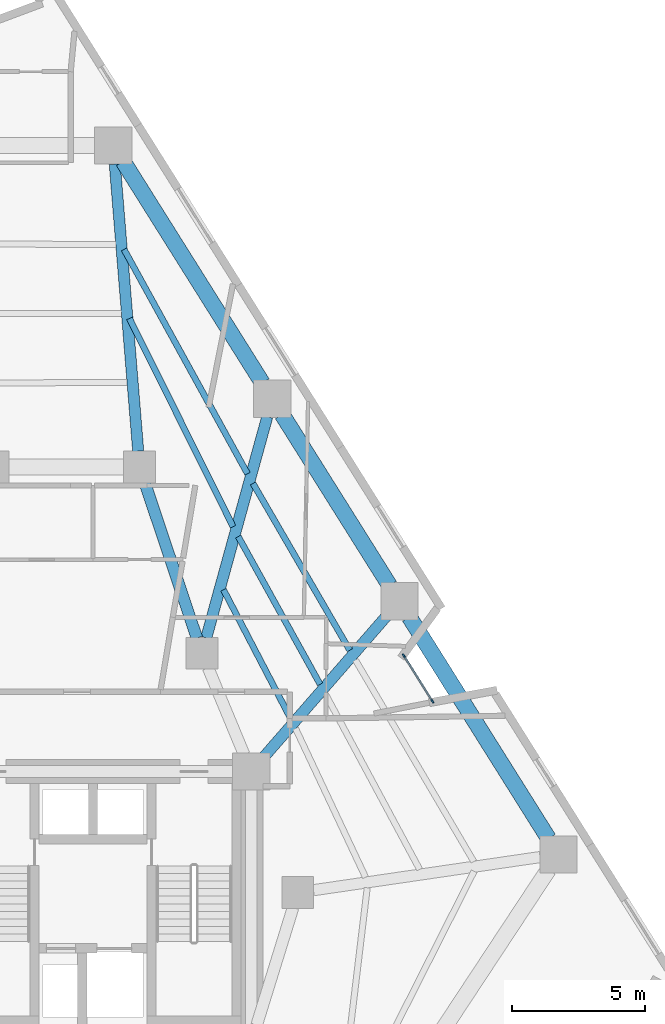
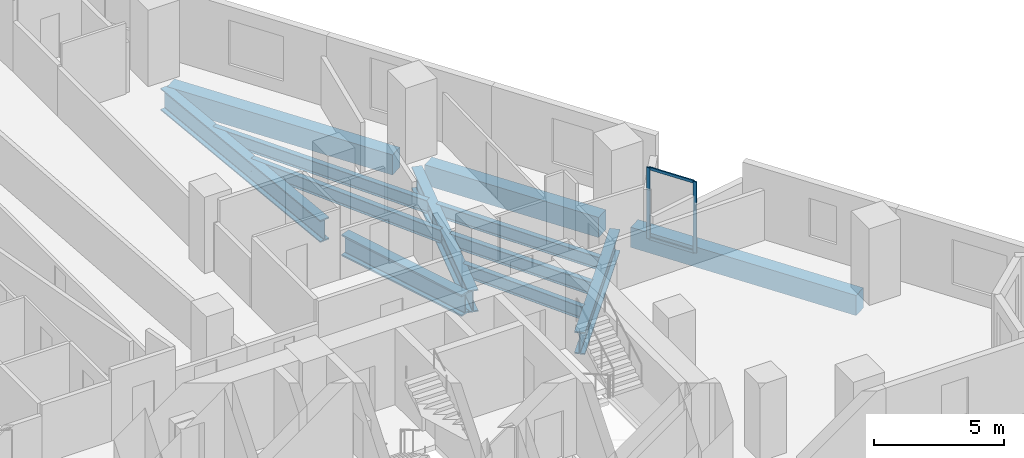
# One storey, part 4 of 12: 12 beams, 4 members, 1 element without a shape of its own.
"""IFC4 building model written with IfcOpenShell, lengths in metres."""

from ifc_helpers import new_model, si_unit, direction, frame, origin, origin_2d, place, context, subcontext, project, spatial, rectangle, i_section, extrude, material, layer, layer_set, material_profile, profile_set, type_object, element, aggregate, save


model = new_model("IFC4")

# Units and contexts
model_context = context("Model", 3, precision=1e-05, world=origin(), true_north=direction((0.0, 1.0)))
body_context = subcontext(model_context, "Body", "Model", "MODEL_VIEW")
ifc_project = project(units=[si_unit("LENGTHUNIT", "METRE"), si_unit("AREAUNIT", "SQUARE_METRE"), si_unit("VOLUMEUNIT", "CUBIC_METRE"), si_unit("PLANEANGLEUNIT", "RADIAN"), si_unit("MASSUNIT", "GRAM", prefix="KILO")], contexts=[model_context])

# Site, building, storey
site_placement = place(None, origin())
site = spatial("IfcSite", under=ifc_project, at=site_placement, CompositionType="ELEMENT")
building_placement = place(site_placement, origin())
building = spatial("IfcBuilding", under=site, at=building_placement, Name="Almagre Mirador Tower", CompositionType="ELEMENT")
storey_placement = place(building_placement, frame((0.0, 0.0, 64.199951171875)))
storey = spatial("IfcBuildingStorey", under=building, at=storey_placement, Name="L15", CompositionType="ELEMENT", Elevation=64.199951171875)

# Beams
ifc_material_1 = material(Name="Steel ASTM A992 Grade 50", Category="steel")
ifc_material_profile_1 = material_profile(ifc_material_1, i_section(OverallWidth=0.22802734375, OverallDepth=0.60791015625, WebThickness=0.01123046875, FlangeThickness=0.017333984375, FilletRadius=0.02001953125, at=origin_2d()), Name="W24X76")
ifc_profile_set_1 = profile_set([ifc_material_profile_1], Name="Steel ASTM A992 Grade 50")
beam_type_1 = type_object("IfcBeamType", Name="BM-JST-W24X76", PredefinedType="JOIST", material=ifc_profile_set_1)
beam_1_placement = place(storey_placement, frame((50.75732421875, 19.309814453125, -0.553955078125), z_axis=(-0.501684848086, 0.865050468586, 0.0), x_axis=(-0.865050468586, -0.501684848086, 0.0)))
element("IfcBeam", 1, at=beam_1_placement, inside=storey, type_object=beam_type_1, Name="L15 secondary floor joist PC06-PC07.1", PredefinedType="JOIST", context=body_context, shape_type="SweptSolid", body=[
    extrude(i_section(OverallWidth=0.22802734375, OverallDepth=0.60791015625, WebThickness=0.01123046875, FlangeThickness=0.017333984375, FilletRadius=0.02001953125, at=origin_2d()), origin(), (0.0, 0.0, 1.0), 7.25439453125),
])
beam_2_placement = place(storey_placement, frame((49.643310546875, 18.0283203125, -0.553955078125), z_axis=(-0.484660833116, 0.87470216465, 0.0), x_axis=(-0.87470216465, -0.484660833116, 0.0)))
element("IfcBeam", 2, at=beam_2_placement, inside=storey, type_object=beam_type_1, Name="L15 secondary floor joist PC06-PC07.2", PredefinedType="JOIST", context=body_context, shape_type="SweptSolid", body=[
    extrude(i_section(OverallWidth=0.22802734375, OverallDepth=0.60791015625, WebThickness=0.01123046875, FlangeThickness=0.017333984375, FilletRadius=0.02001953125, at=origin_2d()), origin(), (0.0, 0.0, 1.0), 6.355224609375),
])
beam_3_placement = place(storey_placement, frame((48.530517578125, 16.747314453125, -0.553955078125), z_axis=(-0.462141076128, 0.88680641955, 0.0), x_axis=(-0.88680641955, -0.462141076128, 0.0)))
element("IfcBeam", 3, at=beam_3_placement, inside=storey, type_object=beam_type_1, Name="L15 secondary floor joist PC06-PC07.3", PredefinedType="JOIST", context=body_context, shape_type="SweptSolid", body=[
    extrude(i_section(OverallWidth=0.22802734375, OverallDepth=0.60791015625, WebThickness=0.01123046875, FlangeThickness=0.017333984375, FilletRadius=0.02001953125, at=origin_2d()), origin(), (0.0, 0.0, 1.0), 5.459228515625),
])
beam_4_placement = place(storey_placement, frame((46.911865234375, 25.949951171875, -0.553955078125), z_axis=(-0.482292394025, 0.876010300548, 0.0), x_axis=(-0.876010300548, -0.482292394025, 0.0)))
element("IfcBeam", 4, at=beam_4_placement, inside=storey, type_object=beam_type_1, Name="L15 secondary floor joist PC07-PC08.1", PredefinedType="JOIST", context=body_context, shape_type="SweptSolid", body=[
    extrude(i_section(OverallWidth=0.22802734375, OverallDepth=0.60791015625, WebThickness=0.01123046875, FlangeThickness=0.017333984375, FilletRadius=0.02001953125, at=origin_2d()), origin(), (0.0, 0.0, 1.0), 9.630615234375),
])
beam_5_placement = place(storey_placement, frame((46.368408203125, 23.9580078125, -0.553955078125), z_axis=(-0.445438105918, 0.895312735191, 0.0), x_axis=(-0.895312735191, -0.445438105918, 0.0)))
element("IfcBeam", 5, at=beam_5_placement, inside=storey, type_object=beam_type_1, Name="L15 secondary floor joist PC07-PC08.2", PredefinedType="JOIST", context=body_context, shape_type="SweptSolid", body=[
    extrude(i_section(OverallWidth=0.22802734375, OverallDepth=0.60791015625, WebThickness=0.01123046875, FlangeThickness=0.017333984375, FilletRadius=0.02001953125, at=origin_2d()), origin(), (0.0, 0.0, 1.0), 8.749755859375),
])
ifc_material_2 = material(Name="Precast concrete C50/60", Category="concrete")
ifc_material_profile_2 = material_profile(ifc_material_2, rectangle(XDim=0.60009765625, YDim=0.949951171875, at=origin_2d()), Name="RC600X950")
ifc_profile_set_2 = profile_set([ifc_material_profile_2], Name="Precast concrete C50/60")
beam_type_2 = type_object("IfcBeamType", Name="BM-SPN-RC600X950", PredefinedType="SPANDREL", material=ifc_profile_set_2)
beam_6_placement = place(storey_placement, frame((58.233642578125, 12.226806640625, -0.724853515625), z_axis=(-0.531919552243, 0.846794892487, 0.0), x_axis=(-0.846794892487, -0.531919552243, 0.0)))
element("IfcBeam", 6, at=beam_6_placement, inside=storey, type_object=beam_type_2, Name="L15 perimeter spandrel beam PC05-PC06", PredefinedType="SPANDREL", context=body_context, shape_type="SweptSolid", body=[
    extrude(rectangle(XDim=0.60009765625, YDim=0.949951171875, at=origin_2d()), origin(), (0.0, 0.0, 1.0), 9.84228515625),
])
beam_7_placement = place(storey_placement, frame((52.253662109375, 21.746826171875, -0.724853515625), z_axis=(-0.531919345601, 0.84679502229, 0.0), x_axis=(-0.84679502229, -0.531919345601, 0.0)))
element("IfcBeam", 7, at=beam_7_placement, inside=storey, type_object=beam_type_2, Name="L15 perimeter spandrel beam PC06-PC07", PredefinedType="SPANDREL", context=body_context, shape_type="SweptSolid", body=[
    extrude(rectangle(XDim=0.60009765625, YDim=0.949951171875, at=origin_2d()), origin(), (0.0, 0.0, 1.0), 7.59375),
])
beam_8_placement = place(storey_placement, frame((47.4697265625, 29.36279296875, -0.724853515625), z_axis=(-0.531919552243, 0.846794892487, 0.0), x_axis=(-0.846794892487, -0.531919552243, 0.0)))
element("IfcBeam", 8, at=beam_8_placement, inside=storey, type_object=beam_type_2, Name="L15 perimeter spandrel beam PC07-PC08", PredefinedType="SPANDREL", context=body_context, shape_type="SweptSolid", body=[
    extrude(rectangle(XDim=0.60009765625, YDim=0.949951171875, at=origin_2d()), origin(), (0.0, 0.0, 1.0), 9.84228515625),
])
ifc_material_3 = material(Name="Steel ASTM A992 Grade 50", Category="steel")
ifc_material_profile_3 = material_profile(ifc_material_3, i_section(OverallWidth=0.43701171875, OverallDepth=1.010986328125, WebThickness=0.041015625, FlangeThickness=0.073974609375, FilletRadius=0.028076171875, at=origin_2d()), Name="W36X529")
ifc_profile_set_3 = profile_set([ifc_material_profile_3], Name="Steel ASTM A992 Grade 50")
beam_type_3 = type_object("IfcBeamType", Name="BM-STL-W36X529", PredefinedType="BEAM", material=ifc_profile_set_3)
beam_9_placement = place(storey_placement, frame((43.041015625, 25.631103515625, -0.75537109375), z_axis=(0.318252395552, -0.948006019351, 0.0), x_axis=(0.948006019351, 0.318252395552, 0.0)))
element("IfcBeam", 9, at=beam_9_placement, inside=storey, type_object=beam_type_3, Name="L15 core tie girder MC6-MC5", PredefinedType="BEAM", context=body_context, shape_type="SweptSolid", body=[
    extrude(i_section(OverallWidth=0.43701171875, OverallDepth=1.010986328125, WebThickness=0.041015625, FlangeThickness=0.073974609375, FilletRadius=0.028076171875, at=origin_2d()), origin(), (0.0, 0.0, 1.0), 6.183837890625),
])
ifc_material_4 = material(Name="Steel ASTM A913 Grade 65", Category="steel")
ifc_material_profile_4 = material_profile(ifc_material_4, i_section(OverallWidth=0.4189453125, OverallDepth=1.041015625, WebThickness=0.031005859375, FlangeThickness=0.055908203125, FilletRadius=0.030029296875, at=origin_2d()), Name="W40X397")
ifc_profile_set_4 = profile_set([ifc_material_profile_4], Name="Steel ASTM A913 Grade 65")
beam_type_4 = type_object("IfcBeamType", Name="BM-STL-W40X397", PredefinedType="BEAM", material=ifc_profile_set_4)
beam_10_placement = place(storey_placement, frame((52.166259765625, 20.626220703125, -0.7705078125), z_axis=(-0.6566380112, -0.7542058885, 0.0), x_axis=(0.7542058885, -0.6566380112, 0.0)))
element("IfcBeam", 10, at=beam_10_placement, inside=storey, type_object=beam_type_4, Name="L15 radial floor girder PC06-CC6", PredefinedType="BEAM", context=body_context, shape_type="SweptSolid", body=[
    extrude(i_section(OverallWidth=0.4189453125, OverallDepth=1.041015625, WebThickness=0.031005859375, FlangeThickness=0.055908203125, FilletRadius=0.030029296875, at=origin_2d()), origin(), (0.0, 0.0, 1.0), 7.09130859375),
])
beam_11_placement = place(storey_placement, frame((47.65576171875, 28.09521484375, -0.7705078125), z_axis=(-0.266125752787, -0.96393831945, 0.0), x_axis=(0.96393831945, -0.266125752787, 0.0)))
element("IfcBeam", 11, at=beam_11_placement, inside=storey, type_object=beam_type_4, Name="L15 radial floor girder PC07-MC5", PredefinedType="BEAM", context=body_context, shape_type="SweptSolid", body=[
    extrude(i_section(OverallWidth=0.4189453125, OverallDepth=1.041015625, WebThickness=0.031005859375, FlangeThickness=0.055908203125, FilletRadius=0.030029296875, at=origin_2d()), origin(), (0.0, 0.0, 1.0), 8.6279296875),
])
beam_12_placement = place(storey_placement, frame((41.9189453125, 37.59228515625, -0.7705078125), z_axis=(0.081446555718, -0.996677710477, 0.0), x_axis=(0.996677710477, 0.081446555718, 0.0)))
element("IfcBeam", 12, at=beam_12_placement, inside=storey, type_object=beam_type_4, Name="L15 radial floor girder PC08-MC6", PredefinedType="BEAM", context=body_context, shape_type="SweptSolid", body=[
    extrude(i_section(OverallWidth=0.4189453125, OverallDepth=1.041015625, WebThickness=0.031005859375, FlangeThickness=0.055908203125, FilletRadius=0.030029296875, at=origin_2d()), origin(), (0.0, 0.0, 1.0), 10.830078125),
])

# Curtain wall, members
ifc_material_5 = material(Name="Black anodized aluminium", Category="aluminium")
ifc_layer = layer(ifc_material_5, 0.169921875)
ifc_layer_set = layer_set([ifc_layer], Name="Black anodized aluminium")
curtain_wall_type = type_object("IfcCurtainWallType", Name="CW-CRS-SYS", PredefinedType="NOTDEFINED", material=ifc_layer_set)
curtain_wall_placement = place(storey_placement, origin())
curtain_wall = element("IfcCurtainWall", 13, at=curtain_wall_placement, inside=storey, type_object=curtain_wall_type, Name="L15 vertical crease curtain wall 03", PredefinedType="NOTDEFINED")
ifc_material_6 = material(Name="Black anodized aluminium", Category="aluminium")
ifc_material_profile_5 = material_profile(ifc_material_6, rectangle(XDim=0.06005859375, YDim=0.14990234375, at=origin_2d()), Name="CWM60X150")
ifc_profile_set_5 = profile_set([ifc_material_profile_5], Name="Black anodized aluminium")
member_type_1 = type_object("IfcMemberType", Name="MBR-CWM60X150", PredefinedType="MULLION", material=ifc_profile_set_5)
member_1_placement = place(storey_placement, frame((52.7880859375, 19.108642578125, 0.0), z_axis=(0.0, 0.0, 1.0), x_axis=(0.846624227203, 0.53219114791, 0.0)))
member_1 = element("IfcMember", 14, at=member_1_placement, type_object=member_type_1, Name="CW-4 mullion 1", PredefinedType="MULLION", context=body_context, shape_type="SweptSolid", body=[
    extrude(rectangle(XDim=0.06005859375, YDim=0.14990234375, at=origin_2d()), origin(), (0.0, 0.0, 1.0), 3.35009765625),
])
member_2_placement = place(storey_placement, frame((53.867919921875, 17.390380859375, 0.0), z_axis=(0.0, 0.0, 1.0), x_axis=(0.846624227203, 0.53219114791, 0.0)))
member_2 = element("IfcMember", 15, at=member_2_placement, type_object=member_type_1, Name="CW-4 mullion 2", PredefinedType="MULLION", context=body_context, shape_type="SweptSolid", body=[
    extrude(rectangle(XDim=0.06005859375, YDim=0.14990234375, at=origin_2d()), origin(), (0.0, 0.0, 1.0), 3.35009765625),
])
ifc_material_7 = material(Name="Black anodized aluminium", Category="aluminium")
ifc_material_profile_6 = material_profile(ifc_material_7, rectangle(XDim=0.06005859375, YDim=0.1298828125, at=origin_2d()), Name="CWT60X130")
ifc_profile_set_6 = profile_set([ifc_material_profile_6], Name="Black anodized aluminium")
member_type_2 = type_object("IfcMemberType", Name="MBR-CWT60X130", PredefinedType="USERDEFINED", material=ifc_profile_set_6)
member_3_placement = place(storey_placement, frame((52.803955078125, 19.083251953125, 0.030029296875), z_axis=(0.532158851805, -0.846644527795, 0.0), x_axis=(0.846644527795, 0.532158851805, 0.0)))
member_3 = element("IfcMember", 16, at=member_3_placement, type_object=member_type_2, Name="CW-4 transom 1.1", ObjectType="TRANSOM", PredefinedType="USERDEFINED", context=body_context, shape_type="SweptSolid", body=[
    extrude(rectangle(XDim=0.06005859375, YDim=0.1298828125, at=origin_2d()), origin(), (0.0, 0.0, 1.0), 1.969482421875),
])
member_4_placement = place(storey_placement, frame((52.803955078125, 19.083251953125, 3.320068359375), z_axis=(0.532158851805, -0.846644527795, 0.0), x_axis=(0.846644527795, 0.532158851805, 0.0)))
member_4 = element("IfcMember", 17, at=member_4_placement, type_object=member_type_2, Name="CW-4 transom 1.2", ObjectType="TRANSOM", PredefinedType="USERDEFINED", context=body_context, shape_type="SweptSolid", body=[
    extrude(rectangle(XDim=0.06005859375, YDim=0.1298828125, at=origin_2d()), origin(), (0.0, 0.0, 1.0), 1.969482421875),
])
aggregate(curtain_wall, [member_1, member_2, member_3, member_4])

save(model, "model.ifc")
